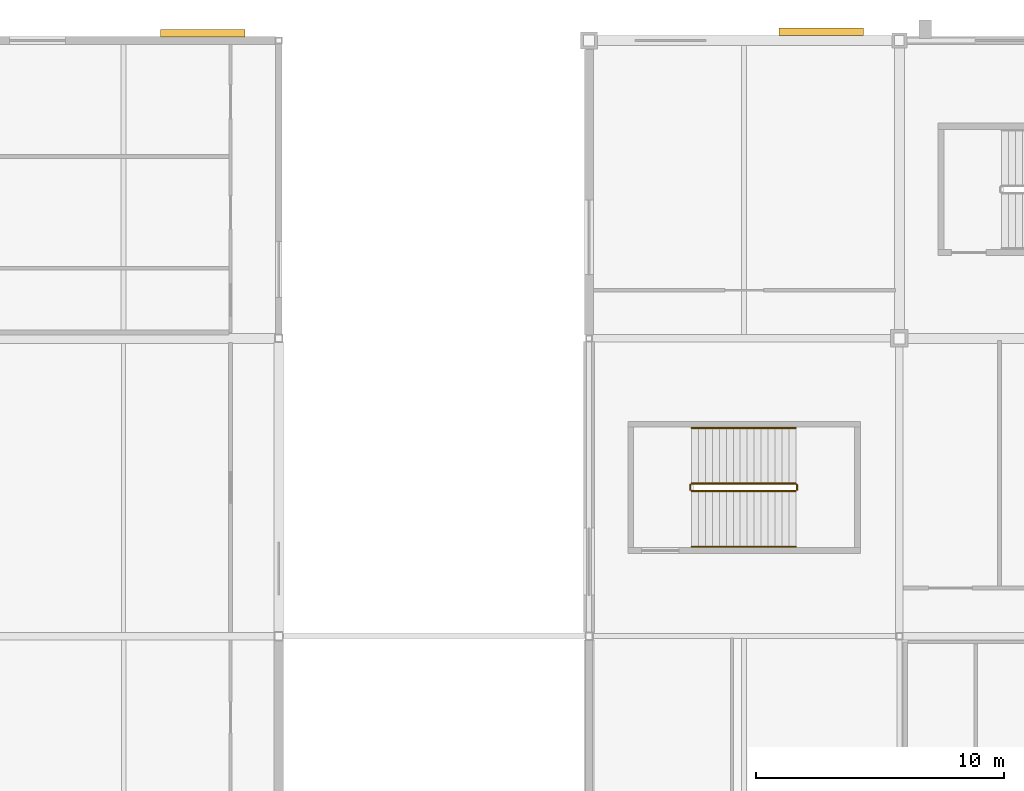
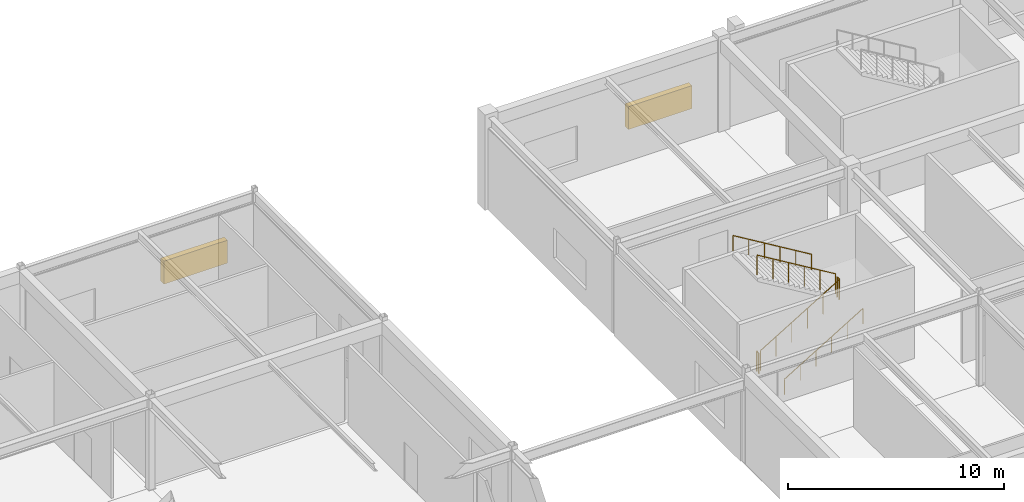
# One storey, part 101 of 105: 6 railings, 2 shading devices.
"""IFC4 building model written with IfcOpenShell, lengths in metres."""

from ifc_helpers import new_model, si_unit, direction, frame, origin, origin_2d, place, context, subcontext, project, spatial, rectangle, circle, extrude, material, layer, layer_set, type_object, element, save


model = new_model("IFC4")

# Units and contexts
model_context = context("Model", 3, precision=1e-05, world=origin(), true_north=direction((0.0, 1.0)))
body_context = subcontext(model_context, "Body", "Model", "MODEL_VIEW")
ifc_project = project(units=[si_unit("LENGTHUNIT", "METRE"), si_unit("AREAUNIT", "SQUARE_METRE"), si_unit("VOLUMEUNIT", "CUBIC_METRE"), si_unit("PLANEANGLEUNIT", "RADIAN"), si_unit("MASSUNIT", "GRAM", prefix="KILO")], contexts=[model_context])

# Site, building, storey
site_placement = place(None, origin())
site = spatial("IfcSite", under=ifc_project, at=site_placement, CompositionType="ELEMENT")
building_placement = place(site_placement, origin())
building = spatial("IfcBuilding", under=site, at=building_placement, Name="Kazenohara Klinker Stadium", CompositionType="ELEMENT")
storey_placement = place(building_placement, frame((0.0, 0.0, 20.39990234375)))
storey = spatial("IfcBuildingStorey", under=building, at=storey_placement, Name="L04", CompositionType="ELEMENT", Elevation=20.39990234375)

# Railings
ifc_material_1 = material(Name="Brushed stainless steel 304 handrail", Category="steel")
ifc_layer_1 = layer(ifc_material_1, 0.050048828125)
ifc_layer_set_1 = layer_set([ifc_layer_1], Name="Brushed stainless steel 304 handrail")
railing_type_1 = type_object("IfcRailingType", Name="RL-HND-900", PredefinedType="HANDRAIL", material=ifc_layer_set_1)
railing_1_placement = place(storey_placement, frame((53.1298828125, 147.610107421875, 0.1689453125)))
element("IfcRailing", 1, at=railing_1_placement, inside=storey, type_object=railing_type_1, Name="L04 ST08 stair handrail 1", PredefinedType="HANDRAIL", context=body_context, shape_type="SweptSolid", body=[
    extrude(circle(Radius=0.02392578125, at=origin_2d()), frame((0.0, 0.0, 0.8759765625), z_axis=(0.856489757249, 0.0, 0.516164020179), x_axis=(0.0, 1.0, 0.0)), (0.0, 0.0, 1.0), 4.904052734375),
    extrude(circle(Radius=0.02099609375, at=origin_2d()), origin(), (0.0, 0.0, 1.0), 0.851806640625),
    extrude(circle(Radius=0.02099609375, at=origin_2d()), frame((0.840087890625, 0.0, 0.50634765625)), (0.0, 0.0, 1.0), 0.851806640625),
    extrude(circle(Radius=0.02099609375, at=origin_2d()), frame((1.68017578125, 0.0, 1.012451171875)), (0.0, 0.0, 1.0), 0.851806640625),
    extrude(circle(Radius=0.02099609375, at=origin_2d()), frame((2.52001953125, 0.0, 1.518798828125)), (0.0, 0.0, 1.0), 0.851806640625),
    extrude(circle(Radius=0.02099609375, at=origin_2d()), frame((3.360107421875, 0.0, 2.02490234375)), (0.0, 0.0, 1.0), 0.851806640625),
    extrude(circle(Radius=0.02099609375, at=origin_2d()), frame((4.2001953125, 0.0, 2.53125)), (0.0, 0.0, 1.0), 0.851806640625),
])
railing_2_placement = place(storey_placement, frame((57.330078125, 152.389892578125, 2.868896484375)))
element("IfcRailing", 2, at=railing_2_placement, inside=storey, type_object=railing_type_1, Name="L04 ST08 stair handrail 2", PredefinedType="HANDRAIL", context=body_context, shape_type="SweptSolid", body=[
    extrude(circle(Radius=0.02392578125, at=origin_2d()), frame((0.0, 0.0, 0.8759765625), z_axis=(-0.856489757249, 0.0, 0.516164020179), x_axis=(0.0, -1.0, 0.0)), (0.0, 0.0, 1.0), 4.904052734375),
    extrude(circle(Radius=0.02099609375, at=origin_2d()), origin(), (0.0, 0.0, 1.0), 0.851806640625),
    extrude(circle(Radius=0.02099609375, at=origin_2d()), frame((-0.840087890625, 0.0, 0.50634765625)), (0.0, 0.0, 1.0), 0.851806640625),
    extrude(circle(Radius=0.02099609375, at=origin_2d()), frame((-1.68017578125, 0.0, 1.012451171875)), (0.0, 0.0, 1.0), 0.851806640625),
    extrude(circle(Radius=0.02099609375, at=origin_2d()), frame((-2.52001953125, 0.0, 1.518798828125)), (0.0, 0.0, 1.0), 0.851806640625),
    extrude(circle(Radius=0.02099609375, at=origin_2d()), frame((-3.360107421875, 0.0, 2.02490234375)), (0.0, 0.0, 1.0), 0.851806640625),
    extrude(circle(Radius=0.02099609375, at=origin_2d()), frame((-4.2001953125, 0.0, 2.53125)), (0.0, 0.0, 1.0), 0.851806640625),
])
ifc_material_2 = material(Name="Painted steel stairwell guardrail", Category="steel")
ifc_layer_2 = layer(ifc_material_2, 0.06005859375)
ifc_layer_set_2 = layer_set([ifc_layer_2], Name="Painted steel stairwell guardrail")
railing_type_2 = type_object("IfcRailingType", Name="RL-STG-1120", PredefinedType="GUARDRAIL", material=ifc_layer_set_2)
railing_3_placement = place(storey_placement, frame((53.1298828125, 149.85009765625, 0.1689453125)))
element("IfcRailing", 3, at=railing_3_placement, inside=storey, type_object=railing_type_2, Name="L04 ST08 stair guard 1", PredefinedType="GUARDRAIL", context=body_context, shape_type="SweptSolid", body=[
    extrude(circle(Radius=0.02392578125, at=origin_2d()), frame((0.0, 0.0, 1.1259765625), z_axis=(0.856489757249, 0.0, 0.516164020179), x_axis=(0.0, 1.0, 0.0)), (0.0, 0.0, 1.0), 4.904052734375),
    extrude(circle(Radius=0.02099609375, at=origin_2d()), origin(), (0.0, 0.0, 1.0), 1.101806640625),
    extrude(circle(Radius=0.02099609375, at=origin_2d()), frame((0.840087890625, 0.0, 0.50634765625)), (0.0, 0.0, 1.0), 1.101806640625),
    extrude(circle(Radius=0.02099609375, at=origin_2d()), frame((1.68017578125, 0.0, 1.012451171875)), (0.0, 0.0, 1.0), 1.101806640625),
    extrude(circle(Radius=0.02099609375, at=origin_2d()), frame((2.52001953125, 0.0, 1.518798828125)), (0.0, 0.0, 1.0), 1.101806640625),
    extrude(circle(Radius=0.02099609375, at=origin_2d()), frame((3.360107421875, 0.0, 2.02490234375)), (0.0, 0.0, 1.0), 1.101806640625),
    extrude(circle(Radius=0.02099609375, at=origin_2d()), frame((4.2001953125, 0.0, 2.53125)), (0.0, 0.0, 1.0), 1.101806640625),
])
railing_4_placement = place(storey_placement, frame((57.3798828125, 149.89990234375, 2.7001953125)))
element("IfcRailing", 4, at=railing_4_placement, inside=storey, type_object=railing_type_2, Name="L04 ST08 stair guard 2", PredefinedType="GUARDRAIL", context=body_context, shape_type="SweptSolid", body=[
    extrude(circle(Radius=0.02392578125, at=origin_2d()), frame((0.0, 0.0, 1.1259765625), z_axis=(0.0, 1.0, 0.0), x_axis=(-1.0, 0.0, 0.0)), (0.0, 0.0, 1.0), 0.2001953125),
    extrude(circle(Radius=0.02099609375, at=origin_2d()), origin(), (0.0, 0.0, 1.0), 1.101806640625),
    extrude(circle(Radius=0.02099609375, at=origin_2d()), frame((0.0, 0.2001953125, 0.0)), (0.0, 0.0, 1.0), 1.101806640625),
])
railing_5_placement = place(storey_placement, frame((57.330078125, 150.14990234375, 2.868896484375)))
element("IfcRailing", 5, at=railing_5_placement, inside=storey, type_object=railing_type_2, Name="L04 ST08 stair guard 3", PredefinedType="GUARDRAIL", context=body_context, shape_type="SweptSolid", body=[
    extrude(circle(Radius=0.02392578125, at=origin_2d()), frame((0.0, 0.0, 1.1259765625), z_axis=(-0.856489757249, 0.0, 0.516164020179), x_axis=(0.0, -1.0, 0.0)), (0.0, 0.0, 1.0), 4.904052734375),
    extrude(circle(Radius=0.02099609375, at=origin_2d()), origin(), (0.0, 0.0, 1.0), 1.101806640625),
    extrude(circle(Radius=0.02099609375, at=origin_2d()), frame((-0.840087890625, 0.0, 0.50634765625)), (0.0, 0.0, 1.0), 1.101806640625),
    extrude(circle(Radius=0.02099609375, at=origin_2d()), frame((-1.68017578125, 0.0, 1.012451171875)), (0.0, 0.0, 1.0), 1.101806640625),
    extrude(circle(Radius=0.02099609375, at=origin_2d()), frame((-2.52001953125, 0.0, 1.518798828125)), (0.0, 0.0, 1.0), 1.101806640625),
    extrude(circle(Radius=0.02099609375, at=origin_2d()), frame((-3.360107421875, 0.0, 2.02490234375)), (0.0, 0.0, 1.0), 1.101806640625),
    extrude(circle(Radius=0.02099609375, at=origin_2d()), frame((-4.2001953125, 0.0, 2.53125)), (0.0, 0.0, 1.0), 1.101806640625),
])
railing_6_placement = place(storey_placement, frame((53.080078125, 149.89990234375, 0.0)))
element("IfcRailing", 6, at=railing_6_placement, inside=storey, type_object=railing_type_2, Name="L04 ST08 stair guard 4", PredefinedType="GUARDRAIL", context=body_context, shape_type="SweptSolid", body=[
    extrude(circle(Radius=0.02392578125, at=origin_2d()), frame((0.0, 0.0, 1.1259765625), z_axis=(0.0, 1.0, 0.0), x_axis=(-1.0, 0.0, 0.0)), (0.0, 0.0, 1.0), 0.2001953125),
    extrude(circle(Radius=0.02099609375, at=origin_2d()), origin(), (0.0, 0.0, 1.0), 1.101806640625),
    extrude(circle(Radius=0.02099609375, at=origin_2d()), frame((0.0, 0.2001953125, 0.0)), (0.0, 0.0, 1.0), 1.101806640625),
])

# Shading devices
ifc_material_3 = material(Name="Perforated clinker-brick and bronze louvre grille", Category="masonry")
shading_device_type = type_object("IfcShadingDeviceType", Name="SHD-LOUV-01", PredefinedType="JALOUSIE", material=ifc_material_3)
for number, where, z_axis, x_axis, name in (
    (7, (33.43896484375, 168.300048828125, 1.4501953125), (0.0, 0.0, 1.0), (1.0, 0.0, 0.0), "Perforated clinker-brick louvre screen LV01-24"),
    (8, (58.35400390625, 168.35009765625, 1.4501953125), (0.0, 0.0, 1.0), (1.0, 0.0, 0.0), "Perforated clinker-brick louvre screen LV01-27"),
):
    element("IfcShadingDevice", number, at=place(storey_placement, frame(where, z_axis=z_axis, x_axis=x_axis)), inside=storey, type_object=shading_device_type, Name=name, PredefinedType="JALOUSIE", context=body_context, shape_type="SweptSolid", body=[
        extrude(rectangle(XDim=3.39990234375, YDim=0.300048828125, at=origin_2d()), origin(), (0.0, 0.0, 1.0), 1.300048828125),
    ])

save(model, "model.ifc")
